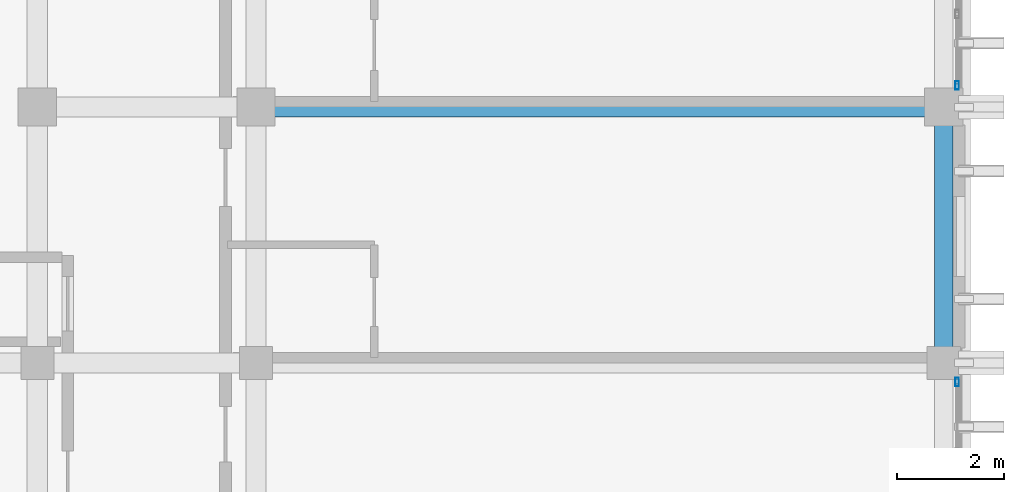
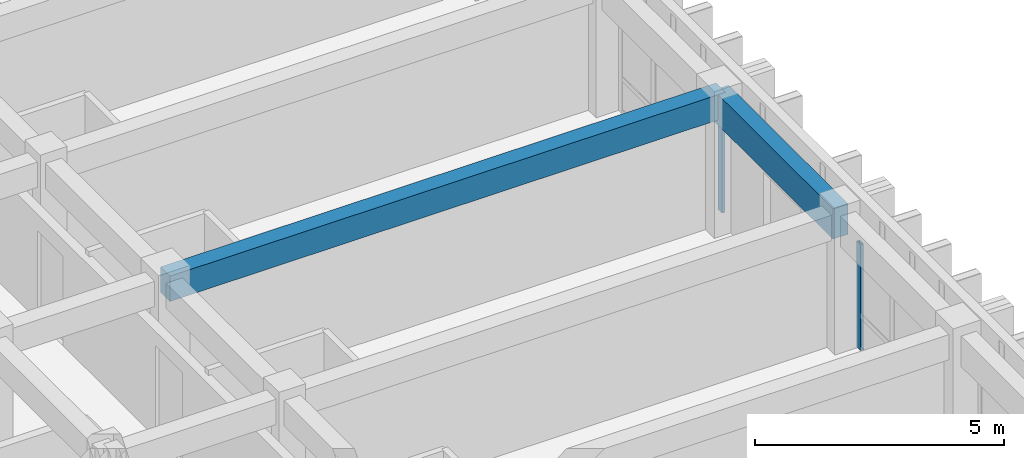
# One storey, part 32 of 59: 2 beams, 2 members, 2 elements without a shape of their own.
"""IFC4 building model written with IfcOpenShell, lengths in metres."""

from ifc_helpers import new_model, si_unit, direction, frame, origin, origin_2d, place, context, subcontext, project, spatial, rectangle, hollow_rectangle, extrude, material, layer, layer_set, material_profile, profile_set, type_object, element, aggregate, save


model = new_model("IFC4")

# Units and contexts
model_context = context("Model", 3, precision=1e-05, world=origin(), true_north=direction((0.0, 1.0)))
body_context = subcontext(model_context, "Body", "Model", "MODEL_VIEW")
ifc_project = project(units=[si_unit("LENGTHUNIT", "METRE"), si_unit("AREAUNIT", "SQUARE_METRE"), si_unit("VOLUMEUNIT", "CUBIC_METRE"), si_unit("PLANEANGLEUNIT", "RADIAN"), si_unit("MASSUNIT", "GRAM", prefix="KILO")], contexts=[model_context])

# Site, building, storey
site_placement = place(None, origin())
site = spatial("IfcSite", under=ifc_project, at=site_placement, CompositionType="ELEMENT")
building_placement = place(site_placement, origin())
building = spatial("IfcBuilding", under=site, at=building_placement, Name="Nakhvara Creek Congress Hotel", CompositionType="ELEMENT")
storey_placement = place(building_placement, frame((0.0, 0.0, 31.800048828125)))
storey = spatial("IfcBuildingStorey", under=building, at=storey_placement, Name="L07", CompositionType="ELEMENT", Elevation=31.800048828125)

# Beams
ifc_material_1 = material(Name="Concrete C40/50", Category="concrete")
ifc_material_profile_1 = material_profile(ifc_material_1, rectangle(XDim=0.3798828125, YDim=0.6201171875, at=origin_2d()), Name="RC-BM 380x620", Category="LoadBearing")
ifc_profile_set_1 = profile_set([ifc_material_profile_1], Name="Concrete C40/50")
beam_type_1 = type_object("IfcBeamType", Name="BM-RC-380X620", PredefinedType="BEAM", material=ifc_profile_set_1)
beam_1_placement = place(storey_placement, frame((166.449951171875, 105.60009765625, 3.050048828125), z_axis=(1.0, 0.0, 0.0), x_axis=(0.0, 1.0, 0.0)))
element("IfcBeam", 1, at=beam_1_placement, inside=storey, type_object=beam_type_1, Name="Beam B10-L07-2383", PredefinedType="BEAM", context=body_context, shape_type="SweptSolid", body=[
    extrude(rectangle(XDim=0.3798828125, YDim=0.6201171875, at=origin_2d()), origin(), (0.0, 0.0, 1.0), 12.900146484375),
])
ifc_material_profile_2 = material_profile(ifc_material_1, rectangle(XDim=0.35009765625, YDim=0.75, at=origin_2d()), Name="RC-SPANDREL 350x750", Category="LoadBearing")
ifc_profile_set_2 = profile_set([ifc_material_profile_2], Name="Concrete C40/50")
beam_type_2 = type_object("IfcBeamType", Name="BM-SPN-350X750", PredefinedType="SPANDREL", material=ifc_profile_set_2)
beam_2_placement = place(storey_placement, frame((179.35009765625, 100.800048828125, 2.98486328125), z_axis=(0.0, 1.0, 0.0), x_axis=(-1.0, 0.0, 0.0)))
element("IfcBeam", 2, at=beam_2_placement, inside=storey, type_object=beam_type_2, Name="Beam SP1-L07-2402", PredefinedType="SPANDREL", context=body_context, shape_type="SweptSolid", body=[
    extrude(rectangle(XDim=0.35009765625, YDim=0.75, at=origin_2d()), origin(), (0.0, 0.0, 1.0), 4.800048828125),
])

# Curtain wall, member
ifc_material_2 = material(Name="Bronze-anodised aluminium AW-6063-T6 and double-silver low-E glass", Category="aluminium")
ifc_layer = layer(ifc_material_2, 0.199951171875)
ifc_layer_set = layer_set([ifc_layer], Name="Bronze-anodised aluminium AW-6063-T6 and double-silver low-E glass")
curtain_wall_type = type_object("IfcCurtainWallType", Name="CW-HTL-UNIT", PredefinedType="USERDEFINED", material=ifc_layer_set)
curtain_wall_1_placement = place(storey_placement, origin())
curtain_wall_1 = element("IfcCurtainWall", 3, at=curtain_wall_1_placement, inside=storey, type_object=curtain_wall_type, Name="Curtain Wall CW267", ObjectType="UNITISED", PredefinedType="USERDEFINED")
ifc_material_3 = material(Name="Bronze-anodised aluminium AW-6063-T6", Category="aluminium")
ifc_material_profile_3 = material_profile(ifc_material_3, hollow_rectangle(XDim=0.06494140625, YDim=0.159912109375, WallThickness=0.00390625, at=origin_2d()), Name="ALU-MULL 65x160x4", Category="LoadBearing")
ifc_profile_set_3 = profile_set([ifc_material_profile_3], Name="Bronze-anodised aluminium AW-6063-T6")
member_type = type_object("IfcMemberType", Name="CW-MULL-160", PredefinedType="MULLION", material=ifc_profile_set_3)
member_1_placement = place(storey_placement, frame((179.60009765625, 100.4423828125, 0.0), z_axis=(0.0, 0.0, 1.0), x_axis=(1.0, 0.0, 0.0)))
member_1 = element("IfcMember", 4, at=member_1_placement, type_object=member_type, Name="CW267 mullion 1", PredefinedType="MULLION", context=body_context, shape_type="SweptSolid", body=[
    extrude(hollow_rectangle(XDim=0.06494140625, YDim=0.159912109375, WallThickness=0.00390625, at=origin_2d()), origin(), (0.0, 0.0, 1.0), 2.60205078125),
])
aggregate(curtain_wall_1, [member_1])

curtain_wall_2_placement = place(storey_placement, origin())
curtain_wall_2 = element("IfcCurtainWall", 5, at=curtain_wall_2_placement, inside=storey, type_object=curtain_wall_type, Name="Curtain Wall CW269", ObjectType="UNITISED", PredefinedType="USERDEFINED")
member_2_placement = place(storey_placement, frame((179.60009765625, 106.007568359375, 0.0), z_axis=(0.0, 0.0, 1.0), x_axis=(1.0, 0.0, 0.0)))
member_2 = element("IfcMember", 6, at=member_2_placement, type_object=member_type, Name="CW269 mullion 4", PredefinedType="MULLION", context=body_context, shape_type="SweptSolid", body=[
    extrude(hollow_rectangle(XDim=0.06494140625, YDim=0.159912109375, WallThickness=0.00390625, at=origin_2d()), origin(), (0.0, 0.0, 1.0), 2.60205078125),
])
aggregate(curtain_wall_2, [member_2])

save(model, "model.ifc")
